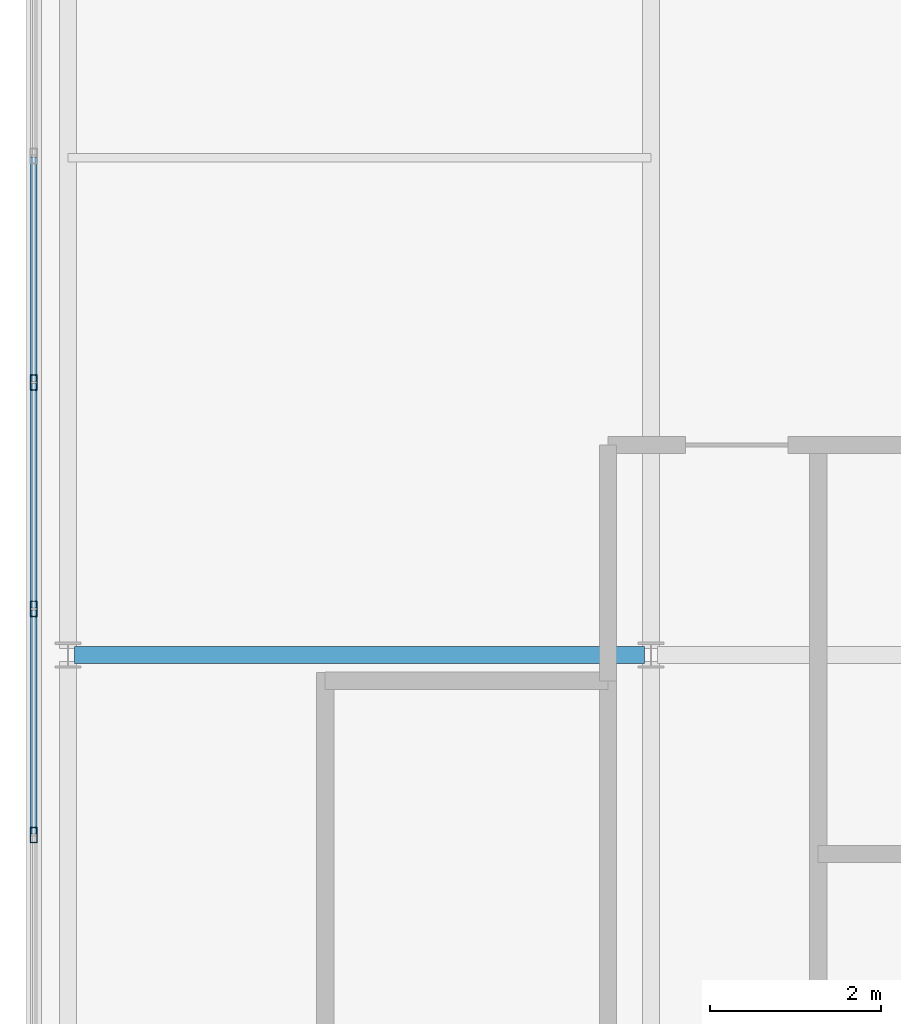
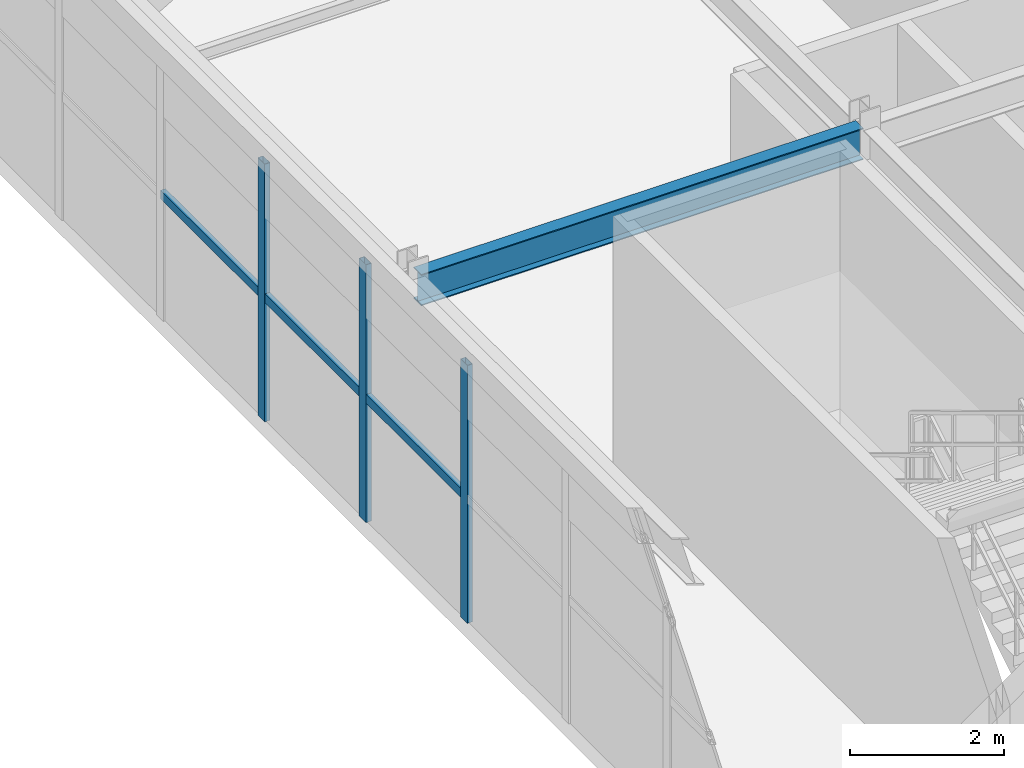
# One storey, part 8 of 31: 6 members, 1 beam, 1 element without a shape of its own.
"""IFC4 building model written with IfcOpenShell, lengths in metres."""

from ifc_helpers import new_model, si_unit, direction, frame, origin, origin_2d, place, context, subcontext, project, spatial, hollow_rectangle, i_section, extrude, source, transform, mapped, material, material_profile, profile_set, type_object, element, aggregate, save


model = new_model("IFC4")

# Units and contexts
model_context = context("Model", 3, precision=1e-05, world=origin(), true_north=direction((0.0, 1.0)))
body_context = subcontext(model_context, "Body", "Model", "MODEL_VIEW")
ifc_project = project(units=[si_unit("LENGTHUNIT", "METRE"), si_unit("AREAUNIT", "SQUARE_METRE"), si_unit("VOLUMEUNIT", "CUBIC_METRE"), si_unit("PLANEANGLEUNIT", "RADIAN"), si_unit("MASSUNIT", "GRAM", prefix="KILO")], contexts=[model_context])

# Site, building, storey
site_placement = place(None, origin())
site = spatial("IfcSite", under=ifc_project, at=site_placement, CompositionType="ELEMENT")
building_placement = place(site_placement, origin())
building = spatial("IfcBuilding", under=site, at=building_placement, Name="Trelvane Seafront Commons", CompositionType="ELEMENT")
storey_placement = place(building_placement, frame((0.0, 0.0, 307.89990234375)))
storey = spatial("IfcBuildingStorey", under=building, at=storey_placement, Name="L80", CompositionType="ELEMENT", Elevation=307.89990234375)

# Beam
ifc_material_1 = material(Name="Steel SM355 (S355)", Category="steel")
ifc_material_profile_1 = material_profile(ifc_material_1, i_section(OverallWidth=0.199951171875, OverallDepth=0.5, WebThickness=0.010009765625, FlangeThickness=0.01611328125, at=origin_2d()), Name="H-500x200x10x16")
ifc_profile_set_1 = profile_set([ifc_material_profile_1], Name="Steel SM355 (S355)")
beam_type = type_object("IfcBeamType", Name="STR-CROWN-FRAME-RING", PredefinedType="SPANDREL", material=ifc_profile_set_1)
shared_shape_1 = source(origin(), body_context, "Body", "SweptSolid", [
    extrude(i_section(OverallWidth=0.199951171875, OverallDepth=0.5, WebThickness=0.010009765625, FlangeThickness=0.01611328125, at=origin_2d()), origin(), (0.0, 0.0, 1.0), 6.64990234375),
])
beam_placement = place(storey_placement, frame((8.875, 33.39990234375, 3.85009765625), z_axis=(1.0, 0.0, 0.0), x_axis=(0.0, 1.0, 0.0)))
element("IfcBeam", 1, at=beam_placement, inside=storey, type_object=beam_type, Name="L80 CROWN FRAME Ring Beam G-08", PredefinedType="SPANDREL", context=body_context, shape_type="MappedRepresentation", body=[
    mapped(shared_shape_1, transform((0.0, 0.0, 0.0), x_axis=(1.0, 0.0, 0.0), y_axis=(0.0, 1.0, 0.0), z_axis=(0.0, 0.0, 1.0), scale=1.0)),
])

# Curtain wall, members
ifc_material_2 = material(Name="Anodised pale-silver aluminium", Category="aluminium")
curtain_wall_type = type_object("IfcCurtainWallType", Name="ARCH-CW6-CROWN", PredefinedType="NOTDEFINED", material=ifc_material_2)
curtain_wall_placement = place(storey_placement, origin())
curtain_wall = element("IfcCurtainWall", 2, at=curtain_wall_placement, inside=storey, type_object=curtain_wall_type, Name="CW-L80-0136", PredefinedType="NOTDEFINED")
ifc_material_profile_2 = material_profile(ifc_material_2, hollow_rectangle(XDim=0.080078125, YDim=0.179931640625, WallThickness=0.00439453125, at=origin_2d()), Name="MULL-80x180x4.5")
ifc_profile_set_2 = profile_set([ifc_material_profile_2], Name="Anodised pale-silver aluminium")
member_type_1 = type_object("IfcMemberType", Name="ARCH-CW-MULL-180", PredefinedType="MULLION", material=ifc_profile_set_2)
shared_shape_2 = source(origin(), body_context, "Body", "SweptSolid", [
    extrude(hollow_rectangle(XDim=0.080078125, YDim=0.179931640625, WallThickness=0.00439453125, at=origin_2d()), origin(), (0.0, 0.0, 1.0), 4.10009765625),
])
member_1_placement = place(storey_placement, frame((8.39990234375, 31.300048828125, 0.0), z_axis=(0.0, 0.0, 1.0), x_axis=(1.0, 0.0, 0.0)))
member_1 = element("IfcMember", 3, at=member_1_placement, type_object=member_type_1, Name="CW-L80-0136-M05", PredefinedType="MULLION", context=body_context, shape_type="MappedRepresentation", body=[
    mapped(shared_shape_2, transform((0.0, 0.0, 0.0), x_axis=(1.0, 0.0, 0.0), y_axis=(0.0, 1.0, 0.0), z_axis=(0.0, 0.0, 1.0), scale=1.0)),
])
member_2_placement = place(storey_placement, frame((8.39990234375, 33.93994140625, 0.0), z_axis=(0.0, 0.0, 1.0), x_axis=(1.0, 0.0, 0.0)))
member_2 = element("IfcMember", 4, at=member_2_placement, type_object=member_type_1, Name="CW-L80-0136-M06", PredefinedType="MULLION", context=body_context, shape_type="MappedRepresentation", body=[
    mapped(shared_shape_2, transform((0.0, 0.0, 0.0), x_axis=(1.0, 0.0, 0.0), y_axis=(0.0, 1.0, 0.0), z_axis=(0.0, 0.0, 1.0), scale=1.0)),
])
member_3_placement = place(storey_placement, frame((8.39990234375, 36.580078125, 0.0), z_axis=(0.0, 0.0, 1.0), x_axis=(1.0, 0.0, 0.0)))
member_3 = element("IfcMember", 5, at=member_3_placement, type_object=member_type_1, Name="CW-L80-0136-M07", PredefinedType="MULLION", context=body_context, shape_type="MappedRepresentation", body=[
    mapped(shared_shape_2, transform((0.0, 0.0, 0.0), x_axis=(1.0, 0.0, 0.0), y_axis=(0.0, 1.0, 0.0), z_axis=(0.0, 0.0, 1.0), scale=1.0)),
])
ifc_material_profile_3 = material_profile(ifc_material_2, hollow_rectangle(XDim=0.074951171875, YDim=0.139892578125, WallThickness=0.00390625, at=origin_2d()), Name="TRAN-75x140x4")
ifc_profile_set_3 = profile_set([ifc_material_profile_3], Name="Anodised pale-silver aluminium")
member_type_2 = type_object("IfcMemberType", Name="ARCH-CW-TRAN-140", PredefinedType="USERDEFINED", material=ifc_profile_set_3)
shared_shape_3 = source(origin(), body_context, "Body", "SweptSolid", [
    extrude(hollow_rectangle(XDim=0.074951171875, YDim=0.139892578125, WallThickness=0.00390625, at=origin_2d()), origin(), (0.0, 0.0, 1.0), 2.615966796875),
])
member_4_placement = place(storey_placement, frame((8.39990234375, 31.31201171875, 1.968017578125), z_axis=(0.0, 1.0, 0.0), x_axis=(-1.0, 0.0, 0.0)))
member_4 = element("IfcMember", 6, at=member_4_placement, type_object=member_type_2, Name="CW-L80-0136-T05", ObjectType="TRANSOM", PredefinedType="USERDEFINED", context=body_context, shape_type="MappedRepresentation", body=[
    mapped(shared_shape_3, transform((0.0, 0.0, 0.0), x_axis=(1.0, 0.0, 0.0), y_axis=(0.0, 1.0, 0.0), z_axis=(0.0, 0.0, 1.0), scale=1.0)),
])
member_5_placement = place(storey_placement, frame((8.39990234375, 36.592041015625, 1.968017578125), z_axis=(0.0, 1.0, 0.0), x_axis=(-1.0, 0.0, 0.0)))
member_5 = element("IfcMember", 7, at=member_5_placement, type_object=member_type_2, Name="CW-L80-0136-T07", ObjectType="TRANSOM", PredefinedType="USERDEFINED", context=body_context, shape_type="MappedRepresentation", body=[
    mapped(shared_shape_3, transform((0.0, 0.0, 0.0), x_axis=(1.0, 0.0, 0.0), y_axis=(0.0, 1.0, 0.0), z_axis=(0.0, 0.0, 1.0), scale=1.0)),
])
shared_shape_4 = source(origin(), body_context, "Body", "SweptSolid", [
    extrude(hollow_rectangle(XDim=0.074951171875, YDim=0.139892578125, WallThickness=0.00390625, at=origin_2d()), origin(), (0.0, 0.0, 1.0), 2.6162109375),
])
member_6_placement = place(storey_placement, frame((8.39990234375, 33.951904296875, 1.968017578125), z_axis=(0.0, 1.0, 0.0), x_axis=(-1.0, 0.0, 0.0)))
member_6 = element("IfcMember", 8, at=member_6_placement, type_object=member_type_2, Name="CW-L80-0136-T06", ObjectType="TRANSOM", PredefinedType="USERDEFINED", context=body_context, shape_type="MappedRepresentation", body=[
    mapped(shared_shape_4, transform((0.0, 0.0, 0.0), x_axis=(1.0, 0.0, 0.0), y_axis=(0.0, 1.0, 0.0), z_axis=(0.0, 0.0, 1.0), scale=1.0)),
])
aggregate(curtain_wall, [member_1, member_2, member_3, member_4, member_6, member_5])

save(model, "model.ifc")
